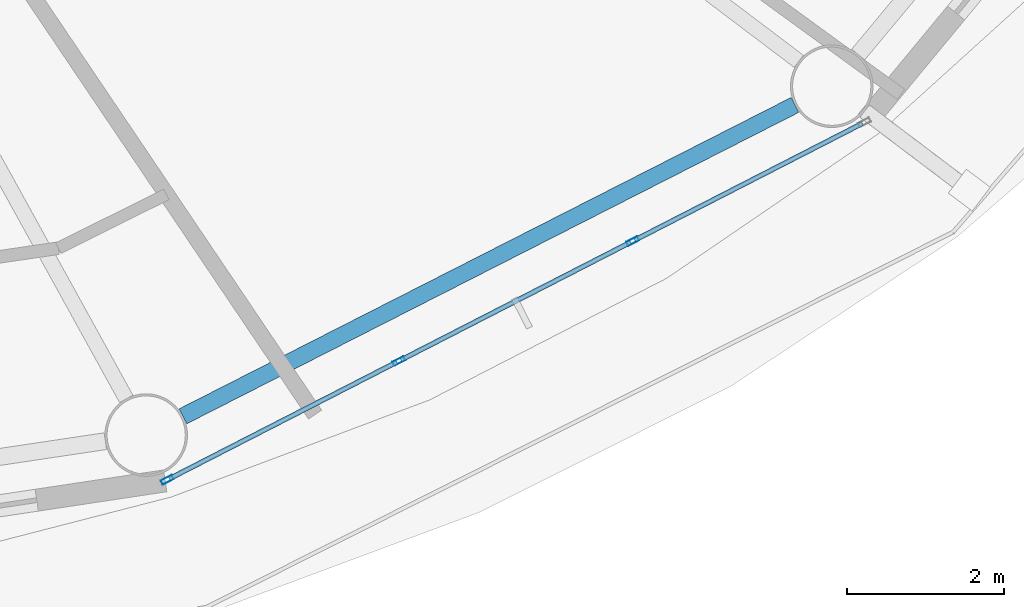
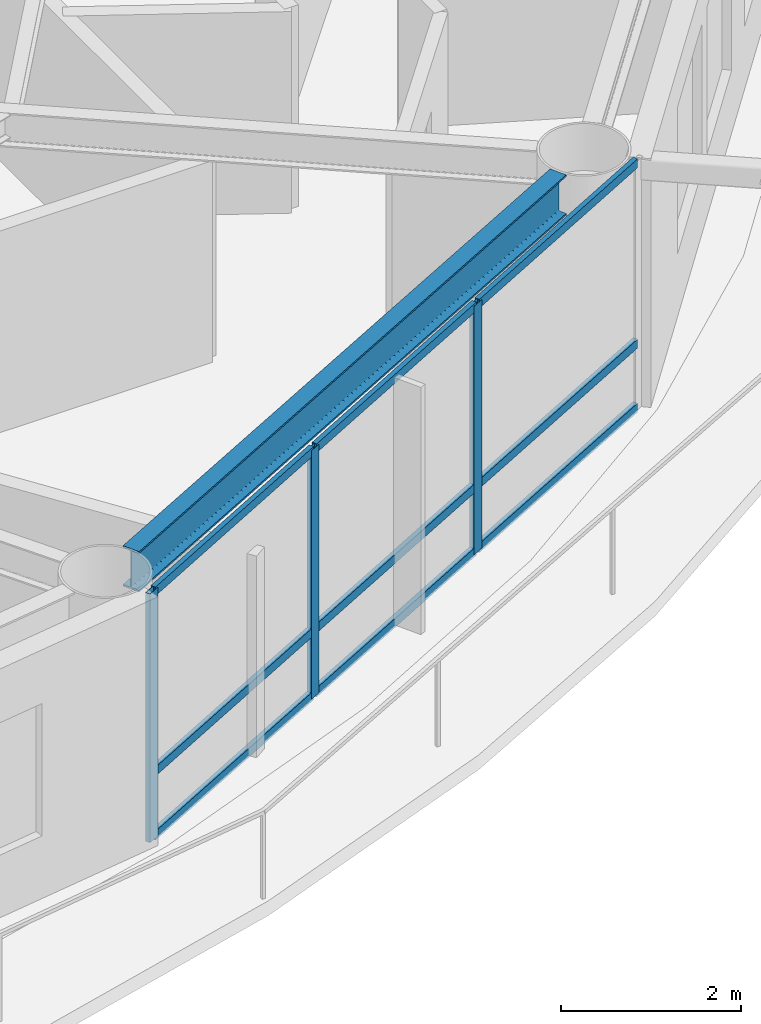
# One storey, part 5 of 28: 12 members, 1 beam, 1 element without a shape of its own.
"""IFC4 building model written with IfcOpenShell, lengths in metres."""

import ifcopenshell
import ifcopenshell.guid

model = None  # the IFC model being written
_history = None  # IfcOwnerHistory: only IFC2X3 demands one
_inside = {}  # id of a spatial element -> (the spatial element, [elements in it])
_under = {}  # id of a project, library or spatial element -> (it, [spatial elements below it])
_declared = {}  # id of a project -> (the project, [libraries it declares])
_typed = {}  # id of a type object -> (the type object, [elements of that type])
_made_of = {}  # id of a material, layer set ... -> (it, [elements and type objects made of it])


def new_model(schema):
    """Start an empty IFC model of exactly this schema.

    Asked for "IFC4X3", IfcOpenShell would pick the latest addendum, in which some entities
    have other attributes; the version numbers below select the first issue.
    IFC2X3 requires an IfcOwnerHistory on every rooted entity: one is made here for all.
    """
    global model, _history
    if schema == "IFC4X3":
        model = ifcopenshell.file(schema_version=(4, 3, 0, 0))
    else:
        model = ifcopenshell.file(schema=schema)
    _inside.clear()
    _under.clear()
    _declared.clear()
    _typed.clear()
    _made_of.clear()
    _history = None
    if model.schema == "IFC2X3":
        org = make("IfcOrganization", Name="unknown")
        user = make(
            "IfcPersonAndOrganization",
            ThePerson=make("IfcPerson", FamilyName="unknown"),
            TheOrganization=org,
        )
        app = make(
            "IfcApplication",
            ApplicationDeveloper=org,
            Version="unknown",
            ApplicationFullName="unknown",
            ApplicationIdentifier="unknown",
        )
        _history = make(
            "IfcOwnerHistory",
            OwningUser=user,
            OwningApplication=app,
            ChangeAction="ADDED",
            CreationDate=0,
        )
    return model


def make(cls, **values):
    """One entity of the class cls with the attributes given. An attribute that is None is left unset."""
    return model.create_entity(
        cls, **{name: value for name, value in values.items() if value is not None}
    )


def rooted(cls, **values):
    """An entity with a GlobalId (a new one), such as an element, a storey or a relation."""
    return make(cls, GlobalId=ifcopenshell.guid.new(), OwnerHistory=_history, **values)


def si_unit(unit_type, name, prefix=None):
    """IfcSIUnit, for example si_unit("LENGTHUNIT", "METRE", prefix="MILLI")."""
    return make("IfcSIUnit", UnitType=unit_type, Prefix=prefix, Name=name)


def assignment(units):
    """IfcUnitAssignment: the units of a project."""
    return None if units is None else make("IfcUnitAssignment", Units=units)


def point(xyz):
    """IfcCartesianPoint."""
    return None if xyz is None else make("IfcCartesianPoint", Coordinates=xyz)


def direction(xyz):
    """IfcDirection."""
    return None if xyz is None else make("IfcDirection", DirectionRatios=xyz)


def frame(location, z_axis=None, x_axis=None):
    """IfcAxis2Placement3D, a coordinate frame: its origin and axes. An axis left out is left unset."""
    return make(
        "IfcAxis2Placement3D",
        Location=point(location),
        Axis=direction(z_axis),
        RefDirection=direction(x_axis),
    )


def frame_2d(location, x_axis=None):
    """IfcAxis2Placement2D, a coordinate frame in the plane: its origin and x axis."""
    return make(
        "IfcAxis2Placement2D", Location=point(location), RefDirection=direction(x_axis)
    )


def origin():
    """The frame at (0, 0, 0) with its axes left unset."""
    return frame((0.0, 0.0, 0.0))


def origin_2d():
    """The frame at (0, 0) in the plane with its x axis left unset."""
    return frame_2d((0.0, 0.0))


def place(relative_to, where):
    """IfcLocalPlacement: puts the frame where relative to a parent placement (None: the world)."""
    return make(
        "IfcLocalPlacement", PlacementRelTo=relative_to, RelativePlacement=where
    )


def context(
    kind, dimensions, precision=None, world=None, true_north=None, identifier=None
):
    """IfcGeometricRepresentationContext, for example the 3D "Model" context."""
    return make(
        "IfcGeometricRepresentationContext",
        ContextIdentifier=identifier,
        ContextType=kind,
        CoordinateSpaceDimension=dimensions,
        Precision=precision,
        WorldCoordinateSystem=world,
        TrueNorth=true_north,
    )


def subcontext(parent, identifier, kind, view, scale=None):
    """IfcGeometricRepresentationSubContext, for example "Body" below "Model"."""
    return make(
        "IfcGeometricRepresentationSubContext",
        ContextIdentifier=identifier,
        ContextType=kind,
        ParentContext=parent,
        TargetScale=scale,
        TargetView=view,
    )


def project(units=None, contexts=None):
    """IfcProject with its units and contexts."""
    return rooted(
        "IfcProject",
        Name="project",
        RepresentationContexts=contexts,
        UnitsInContext=assignment(units),
    )


def spatial(cls, under=None, at=None, **own):
    """A site, building, storey or space (cls), placed at a placement, below another one or the project."""
    s = rooted(cls, ObjectPlacement=at, **own)
    if under is not None:
        _under.setdefault(under.id(), (under, []))[1].append(s)
    return s


def profile(cls, at=None, kind="AREA", **sizes):
    """A parametric profile (cls). Its sizes go by their IFC names, for example OverallWidth=200.0."""
    return make(cls, ProfileType=kind, Position=at, **sizes)


def hollow_rectangle(**sizes):
    """IfcRectangleHollowProfileDef."""
    return profile("IfcRectangleHollowProfileDef", **sizes)


def i_section(**sizes):
    """IfcIShapeProfileDef."""
    return profile("IfcIShapeProfileDef", **sizes)


def extrude(swept, where, along, depth):
    """IfcExtrudedAreaSolid: the profile swept, set in the frame where, extruded along a direction by depth."""
    return make(
        "IfcExtrudedAreaSolid",
        SweptArea=swept,
        Position=where,
        ExtrudedDirection=direction(along),
        Depth=depth,
    )


def shape(context_of_items, identifier, shape_type, items):
    """IfcShapeRepresentation: the items that make up one representation, for example the "Body"."""
    return make(
        "IfcShapeRepresentation",
        ContextOfItems=context_of_items,
        RepresentationIdentifier=identifier,
        RepresentationType=shape_type,
        Items=items,
    )


def material(Name=None, Category=None):
    """IfcMaterial."""
    return make("IfcMaterial", Name=Name, Category=Category)


def layer(
    of_material, thickness, ventilated=None, Name=None, Category=None, Priority=None
):
    """IfcMaterialLayer: one layer of a wall or slab, of a material (None: an air gap)."""
    return make(
        "IfcMaterialLayer",
        Material=of_material,
        LayerThickness=thickness,
        IsVentilated=ventilated,
        Name=Name,
        Category=Category,
        Priority=Priority,
    )


def layer_set(layers, Name=None):
    """IfcMaterialLayerSet."""
    return make("IfcMaterialLayerSet", MaterialLayers=layers, LayerSetName=Name)


def material_profile(
    of_material, cross_section, Name=None, Category=None, Priority=None
):
    """IfcMaterialProfile: a cross section and its material."""
    return make(
        "IfcMaterialProfile",
        Name=Name,
        Material=of_material,
        Profile=cross_section,
        Priority=Priority,
        Category=Category,
    )


def profile_set(profiles, Name=None, composite=None):
    """IfcMaterialProfileSet."""
    return make(
        "IfcMaterialProfileSet",
        Name=Name,
        MaterialProfiles=profiles,
        CompositeProfile=composite,
    )


def made_of(thing, what):
    """Note that an element or type object is made of a material, layer set ...; save() writes the relation."""
    if what is not None:
        _made_of.setdefault(what.id(), (what, []))[1].append(thing)
    return thing


def type_object(cls, material=None, **own):
    """A type object (cls), such as IfcWallType, which elements share."""
    return made_of(rooted(cls, **own), material)


def element(
    cls,
    number,
    at=None,
    inside=None,
    cuts=None,
    type_object=None,
    material=None,
    context=None,
    identifier="Body",
    shape_type=None,
    held_by="IfcProductDefinitionShape",
    body=None,
    shapes=None,
    **own,
):
    """One element of the class cls, such as IfcWall. Its Tag is "e" and its number.

    at: its placement. inside: the storey or other place that contains it. cuts: it is an
    opening in that element (IfcRelVoidsElement). A single representation is given by context,
    identifier, shape_type and body (its items); several are given by shapes. held_by: the class
    of the entity that holds the representations. save() writes the other relations.
    """
    e = rooted(cls, Tag="e%d" % number, ObjectPlacement=at, **own)
    if body is not None:
        shapes = [shape(context, identifier, shape_type, body)]
    if shapes is not None:
        e.Representation = make(held_by, Representations=shapes)
    if inside is not None:
        _inside.setdefault(inside.id(), (inside, []))[1].append(e)
    if cuts is not None:
        rooted(
            "IfcRelVoidsElement", RelatingBuildingElement=cuts, RelatedOpeningElement=e
        )
    if type_object is not None:
        _typed.setdefault(type_object.id(), (type_object, []))[1].append(e)
    return made_of(e, material)


def aggregate(whole, parts):
    """IfcRelAggregates: a whole, such as a stair, and the parts it consists of."""
    return rooted("IfcRelAggregates", RelatingObject=whole, RelatedObjects=parts)


def save(model, path):
    """Write the relations noted so far, then the file.

    IfcRelAggregates (storeys below a building ...), IfcRelContainedInSpatialStructure (elements
    in a storey), IfcRelDefinesByType, IfcRelAssociatesMaterial and IfcRelDeclares: one each for
    every whole, place, type object, material and project.
    """
    for whole, parts in _under.values():
        aggregate(whole, parts)
    for where, things in _inside.values():
        rooted(
            "IfcRelContainedInSpatialStructure",
            RelatedElements=things,
            RelatingStructure=where,
        )
    for kind, things in _typed.values():
        rooted("IfcRelDefinesByType", RelatedObjects=things, RelatingType=kind)
    for what, things in _made_of.values():
        rooted("IfcRelAssociatesMaterial", RelatedObjects=things, RelatingMaterial=what)
    for by, libraries in _declared.values():
        rooted("IfcRelDeclares", RelatingContext=by, RelatedDefinitions=libraries)
    model.write(path)


model = new_model("IFC4")

# Units and contexts
model_context = context("Model", 3, precision=1e-05, world=origin(), true_north=direction((0.0, 1.0)))
body_context = subcontext(model_context, "Body", "Model", "MODEL_VIEW")
ifc_project = project(units=[si_unit("LENGTHUNIT", "METRE"), si_unit("AREAUNIT", "SQUARE_METRE"), si_unit("VOLUMEUNIT", "CUBIC_METRE"), si_unit("PLANEANGLEUNIT", "RADIAN"), si_unit("MASSUNIT", "GRAM", prefix="KILO")], contexts=[model_context])

# Site, building, storey
site_placement = place(None, origin())
site = spatial("IfcSite", under=ifc_project, at=site_placement, CompositionType="ELEMENT")
building_placement = place(site_placement, origin())
building = spatial("IfcBuilding", under=site, at=building_placement, Name="Sarneth Arch Tower", CompositionType="ELEMENT")
storey_placement = place(building_placement, frame((0.0, 0.0, 172.199951171875)))
storey = spatial("IfcBuildingStorey", under=building, at=storey_placement, Name="L43", CompositionType="ELEMENT", Elevation=172.199951171875)

# Beam
ifc_material_1 = material(Name="Steel S355", Category="steel")
ifc_material_profile_1 = material_profile(ifc_material_1, i_section(OverallWidth=0.214111328125, OverallDepth=0.549072265625, WebThickness=0.0146484375, FlangeThickness=0.023681640625, FilletRadius=0.01806640625, at=origin_2d()), Name="W530x138")
ifc_profile_set_1 = profile_set([ifc_material_profile_1], Name="Steel S355")
beam_type = type_object("IfcBeamType", Name="BM-RAD-530A", PredefinedType="BEAM", material=ifc_profile_set_1)
beam_placement = place(storey_placement, frame((58.8896484375, 23.3447265625, 3.10546875), z_axis=(0.891254220899, 0.453504039374, 0.0), x_axis=(-0.453504039374, 0.891254220899, 0.0)))
element("IfcBeam", 1, at=beam_placement, inside=storey, type_object=beam_type, Name="L43 Perimeter spandrel beam 14", PredefinedType="BEAM", context=body_context, shape_type="SweptSolid", body=[
    extrude(i_section(OverallWidth=0.214111328125, OverallDepth=0.549072265625, WebThickness=0.0146484375, FlangeThickness=0.023681640625, FilletRadius=0.01806640625, at=origin_2d()), origin(), (0.0, 0.0, 1.0), 8.724853515625),
])

# Curtain wall, members
ifc_material_2 = material(Name="Anodised aluminium Type AA25 and solar-control low-e laminated IGU", Category="aluminium")
ifc_layer = layer(ifc_material_2, 0.169921875)
ifc_layer_set = layer_set([ifc_layer], Name="Anodised aluminium Type AA25 and solar-control low-e laminated IGU")
curtain_wall_type = type_object("IfcCurtainWallType", Name="CW-RES-MID", PredefinedType="NOTDEFINED", material=ifc_layer_set)
curtain_wall_placement = place(storey_placement, origin())
curtain_wall = element("IfcCurtainWall", 2, at=curtain_wall_placement, inside=storey, type_object=curtain_wall_type, Name="L43 Unitised curtain wall facet 14", PredefinedType="NOTDEFINED")
ifc_material_3 = material(Name="Anodised Aluminium 6063-T6", Category="aluminium")
ifc_material_profile_2 = material_profile(ifc_material_3, hollow_rectangle(XDim=0.06005859375, YDim=0.159912109375, WallThickness=0.00390625, at=origin_2d()), Name="AL-MULL-160x60x4")
ifc_profile_set_2 = profile_set([ifc_material_profile_2], Name="Anodised Aluminium 6063-T6")
member_type_1 = type_object("IfcMemberType", Name="CW-MULLION", PredefinedType="MULLION", material=ifc_profile_set_2)
member_1_placement = place(storey_placement, frame((58.689453125, 22.538330078125, 0.0), z_axis=(0.0, 0.0, 1.0), x_axis=(-0.456208470329, 0.88987293003, 0.0)))
member_1 = element("IfcMember", 3, at=member_1_placement, type_object=member_type_1, Name="CW-SYS-5 mullion 1", PredefinedType="MULLION", context=body_context, shape_type="SweptSolid", body=[
    extrude(hollow_rectangle(XDim=0.06005859375, YDim=0.159912109375, WallThickness=0.00390625, at=origin_2d()), origin(), (0.0, 0.0, 1.0), 3.380126953125),
])
member_2_placement = place(storey_placement, frame((61.634033203125, 24.0478515625, 0.0), z_axis=(0.0, 0.0, 1.0), x_axis=(-0.456208470329, 0.88987293003, 0.0)))
member_2 = element("IfcMember", 4, at=member_2_placement, type_object=member_type_1, Name="CW-SYS-5 mullion 2", PredefinedType="MULLION", context=body_context, shape_type="SweptSolid", body=[
    extrude(hollow_rectangle(XDim=0.06005859375, YDim=0.159912109375, WallThickness=0.00390625, at=origin_2d()), origin(), (0.0, 0.0, 1.0), 3.380126953125),
])
member_3_placement = place(storey_placement, frame((64.60498046875, 25.571044921875, 0.0), z_axis=(0.0, 0.0, 1.0), x_axis=(-0.456208470329, 0.88987293003, 0.0)))
member_3 = element("IfcMember", 5, at=member_3_placement, type_object=member_type_1, Name="CW-SYS-5 mullion 3", PredefinedType="MULLION", context=body_context, shape_type="SweptSolid", body=[
    extrude(hollow_rectangle(XDim=0.06005859375, YDim=0.159912109375, WallThickness=0.00390625, at=origin_2d()), origin(), (0.0, 0.0, 1.0), 3.380126953125),
])
ifc_material_4 = material(Name="Anodised Aluminium 6063-T6", Category="aluminium")
ifc_material_profile_3 = material_profile(ifc_material_4, hollow_rectangle(XDim=0.06005859375, YDim=0.1201171875, WallThickness=0.00390625, at=origin_2d()), Name="AL-TRAN-120x60x4")
ifc_profile_set_3 = profile_set([ifc_material_profile_3], Name="Anodised Aluminium 6063-T6")
member_type_2 = type_object("IfcMemberType", Name="CW-TRANSOM", PredefinedType="USERDEFINED", material=ifc_profile_set_3)
member_4_placement = place(storey_placement, frame((58.71630859375, 22.552001953125, 0.030029296875), z_axis=(0.889857362344, 0.456238835131, 0.0), x_axis=(-0.456238835131, 0.889857362344, 0.0)))
member_4 = element("IfcMember", 6, at=member_4_placement, type_object=member_type_2, Name="CW-SYS-5 transom 1.1", ObjectType="TRANSOM", PredefinedType="USERDEFINED", context=body_context, shape_type="SweptSolid", body=[
    extrude(hollow_rectangle(XDim=0.06005859375, YDim=0.1201171875, WallThickness=0.00390625, at=origin_2d()), origin(), (0.0, 0.0, 1.0), 3.248779296875),
])
member_5_placement = place(storey_placement, frame((58.71630859375, 22.552001953125, 0.900146484375), z_axis=(0.889857362344, 0.456238835131, 0.0), x_axis=(-0.456238835131, 0.889857362344, 0.0)))
member_5 = element("IfcMember", 7, at=member_5_placement, type_object=member_type_2, Name="CW-SYS-5 transom 1.2", ObjectType="TRANSOM", PredefinedType="USERDEFINED", context=body_context, shape_type="SweptSolid", body=[
    extrude(hollow_rectangle(XDim=0.06005859375, YDim=0.1201171875, WallThickness=0.00390625, at=origin_2d()), origin(), (0.0, 0.0, 1.0), 3.248779296875),
])
member_6_placement = place(storey_placement, frame((58.71630859375, 22.552001953125, 3.35009765625), z_axis=(0.889857362344, 0.456238835131, 0.0), x_axis=(-0.456238835131, 0.889857362344, 0.0)))
member_6 = element("IfcMember", 8, at=member_6_placement, type_object=member_type_2, Name="CW-SYS-5 transom 1.3", ObjectType="TRANSOM", PredefinedType="USERDEFINED", context=body_context, shape_type="SweptSolid", body=[
    extrude(hollow_rectangle(XDim=0.06005859375, YDim=0.1201171875, WallThickness=0.00390625, at=origin_2d()), origin(), (0.0, 0.0, 1.0), 3.248779296875),
])
member_7_placement = place(storey_placement, frame((61.66064453125, 24.0615234375, 0.030029296875), z_axis=(0.889869396751, 0.45621536222, 0.0), x_axis=(-0.45621536222, 0.889869396751, 0.0)))
member_7 = element("IfcMember", 9, at=member_7_placement, type_object=member_type_2, Name="CW-SYS-5 transom 2.1", ObjectType="TRANSOM", PredefinedType="USERDEFINED", context=body_context, shape_type="SweptSolid", body=[
    extrude(hollow_rectangle(XDim=0.06005859375, YDim=0.1201171875, WallThickness=0.00390625, at=origin_2d()), origin(), (0.0, 0.0, 1.0), 3.27880859375),
])
member_8_placement = place(storey_placement, frame((61.66064453125, 24.0615234375, 0.900146484375), z_axis=(0.889869396751, 0.45621536222, 0.0), x_axis=(-0.45621536222, 0.889869396751, 0.0)))
member_8 = element("IfcMember", 10, at=member_8_placement, type_object=member_type_2, Name="CW-SYS-5 transom 2.2", ObjectType="TRANSOM", PredefinedType="USERDEFINED", context=body_context, shape_type="SweptSolid", body=[
    extrude(hollow_rectangle(XDim=0.06005859375, YDim=0.1201171875, WallThickness=0.00390625, at=origin_2d()), origin(), (0.0, 0.0, 1.0), 3.27880859375),
])
member_9_placement = place(storey_placement, frame((61.66064453125, 24.0615234375, 3.35009765625), z_axis=(0.889869396751, 0.45621536222, 0.0), x_axis=(-0.45621536222, 0.889869396751, 0.0)))
member_9 = element("IfcMember", 11, at=member_9_placement, type_object=member_type_2, Name="CW-SYS-5 transom 2.3", ObjectType="TRANSOM", PredefinedType="USERDEFINED", context=body_context, shape_type="SweptSolid", body=[
    extrude(hollow_rectangle(XDim=0.06005859375, YDim=0.1201171875, WallThickness=0.00390625, at=origin_2d()), origin(), (0.0, 0.0, 1.0), 3.27880859375),
])
member_10_placement = place(storey_placement, frame((64.6318359375, 25.584716796875, 0.030029296875), z_axis=(0.889857362344, 0.456238835131, 0.0), x_axis=(-0.456238835131, 0.889857362344, 0.0)))
member_10 = element("IfcMember", 12, at=member_10_placement, type_object=member_type_2, Name="CW-SYS-5 transom 3.1", ObjectType="TRANSOM", PredefinedType="USERDEFINED", context=body_context, shape_type="SweptSolid", body=[
    extrude(hollow_rectangle(XDim=0.06005859375, YDim=0.1201171875, WallThickness=0.00390625, at=origin_2d()), origin(), (0.0, 0.0, 1.0), 3.248779296875),
])
member_11_placement = place(storey_placement, frame((64.6318359375, 25.584716796875, 0.900146484375), z_axis=(0.889857362344, 0.456238835131, 0.0), x_axis=(-0.456238835131, 0.889857362344, 0.0)))
member_11 = element("IfcMember", 13, at=member_11_placement, type_object=member_type_2, Name="CW-SYS-5 transom 3.2", ObjectType="TRANSOM", PredefinedType="USERDEFINED", context=body_context, shape_type="SweptSolid", body=[
    extrude(hollow_rectangle(XDim=0.06005859375, YDim=0.1201171875, WallThickness=0.00390625, at=origin_2d()), origin(), (0.0, 0.0, 1.0), 3.248779296875),
])
member_12_placement = place(storey_placement, frame((64.6318359375, 25.584716796875, 3.35009765625), z_axis=(0.889857362344, 0.456238835131, 0.0), x_axis=(-0.456238835131, 0.889857362344, 0.0)))
member_12 = element("IfcMember", 14, at=member_12_placement, type_object=member_type_2, Name="CW-SYS-5 transom 3.3", ObjectType="TRANSOM", PredefinedType="USERDEFINED", context=body_context, shape_type="SweptSolid", body=[
    extrude(hollow_rectangle(XDim=0.06005859375, YDim=0.1201171875, WallThickness=0.00390625, at=origin_2d()), origin(), (0.0, 0.0, 1.0), 3.248779296875),
])
aggregate(curtain_wall, [member_1, member_2, member_3, member_4, member_5, member_6, member_7, member_8, member_9, member_10, member_11, member_12])

save(model, "model.ifc")
